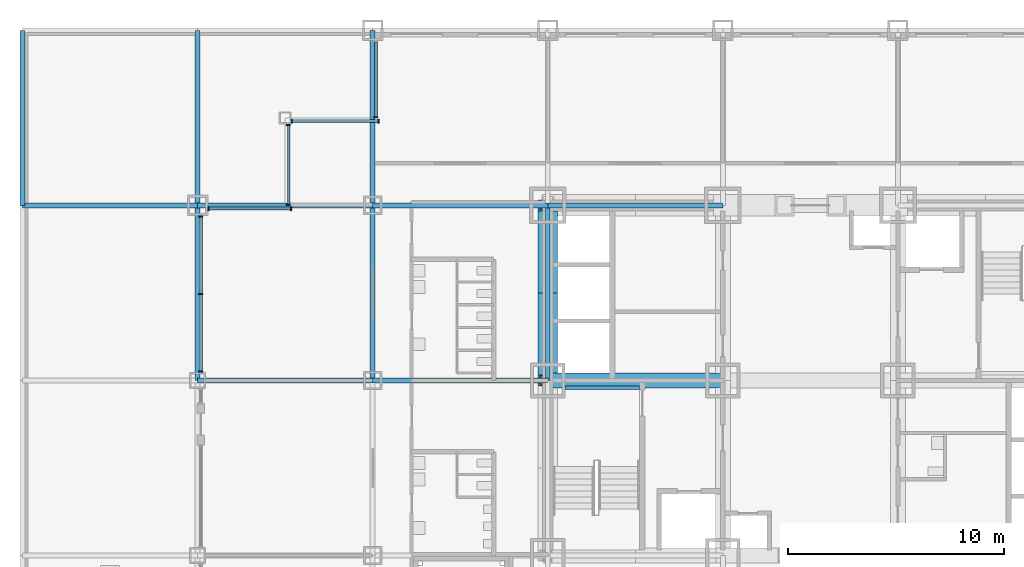
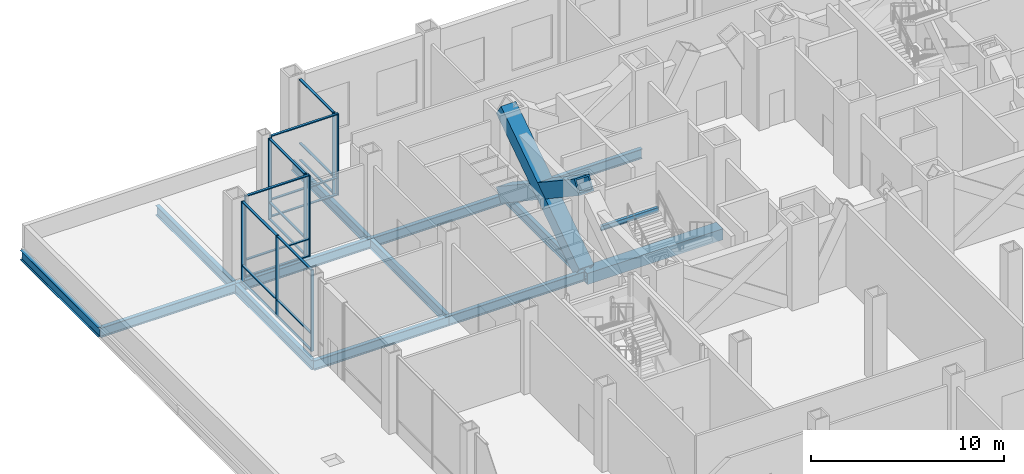
# One storey, part 12 of 26: 30 members, 14 beams, 5 elements without a shape of their own.
"""IFC4 building model written with IfcOpenShell, lengths in metres."""

from ifc_helpers import new_model, si_unit, direction, frame, origin, origin_2d, place, context, subcontext, project, spatial, rectangle, hollow_rectangle, i_section, extrude, material, material_profile, profile_set, type_object, element, aggregate, save


model = new_model("IFC4")

# Units and contexts
model_context = context("Model", 3, precision=1e-05, world=origin(), true_north=direction((0.0, 1.0)))
body_context = subcontext(model_context, "Body", "Model", "MODEL_VIEW")
ifc_project = project(units=[si_unit("LENGTHUNIT", "METRE"), si_unit("AREAUNIT", "SQUARE_METRE"), si_unit("VOLUMEUNIT", "CUBIC_METRE"), si_unit("PLANEANGLEUNIT", "RADIAN"), si_unit("MASSUNIT", "GRAM", prefix="KILO")], contexts=[model_context])

# Site, building, storey
site_placement = place(None, origin())
site = spatial("IfcSite", under=ifc_project, at=site_placement, CompositionType="ELEMENT")
building_placement = place(site_placement, origin())
building = spatial("IfcBuilding", under=site, at=building_placement, Name="Kopane Lantern Tower", CompositionType="ELEMENT")
storey_placement = place(building_placement, frame((0.0, 0.0, 16.800048828125)))
storey = spatial("IfcBuildingStorey", under=building, at=storey_placement, Name="L03", CompositionType="ELEMENT", Elevation=16.800048828125)

# Members
ifc_material_1 = material(Name="Steel S355JR", Category="steel")
ifc_material_profile_1 = material_profile(ifc_material_1, hollow_rectangle(XDim=0.89990234375, YDim=0.89990234375, WallThickness=0.090087890625, at=origin_2d()), Name="BOX 900x900x90")
ifc_profile_set_1 = profile_set([ifc_material_profile_1], Name="Steel S355JR")
member_type_1 = type_object("IfcMemberType", Name="BRACE BOX 900x900x90", PredefinedType="BRACE", material=ifc_profile_set_1)
for number, where, z_axis, x_axis, name in (
    (1, (16.199951171875, 32.39990234375, -0.25), (0.0, 0.832058010752, 0.55468862143), (-1.0, 0.0, 0.0), "Core brace L03"),
    (2, (16.199951171875, 40.5, -0.25), (0.0, -0.832058010752, 0.55468862143), (1.0, 0.0, 0.0), "Core brace L03"),
):
    element("IfcMember", number, at=place(storey_placement, frame(where, z_axis=z_axis, x_axis=x_axis)), inside=storey, type_object=member_type_1, Name=name, PredefinedType="BRACE", context=body_context, shape_type="SweptSolid", body=[
        extrude(hollow_rectangle(XDim=0.89990234375, YDim=0.89990234375, WallThickness=0.090087890625, at=origin_2d()), origin(), (0.0, 0.0, 1.0), 9.735107421875),
    ])

# Beams
ifc_material_2 = material(Name="Steel S355JR", Category="steel")
ifc_material_profile_2 = material_profile(ifc_material_2, hollow_rectangle(XDim=0.699951171875, YDim=0.699951171875, WallThickness=0.06005859375, at=origin_2d()), Name="BOX 700x700x60")
ifc_profile_set_2 = profile_set([ifc_material_profile_2], Name="Steel S355JR")
beam_type_1 = type_object("IfcBeamType", Name="CORE BEAM BOX 700x700x60", PredefinedType="BEAM", material=ifc_profile_set_2)
beam_1_placement = place(storey_placement, frame((16.199951171875, 32.39990234375, -0.60009765625), z_axis=(1.0, 0.0, 0.0), x_axis=(0.0, 1.0, 0.0)))
element("IfcBeam", 3, at=beam_1_placement, inside=storey, type_object=beam_type_1, Name="Core Beam L03", PredefinedType="BEAM", context=body_context, shape_type="SweptSolid", body=[
    extrude(hollow_rectangle(XDim=0.699951171875, YDim=0.699951171875, WallThickness=0.06005859375, at=origin_2d()), origin(), (0.0, 0.0, 1.0), 8.10009765625),
])
ifc_material_3 = material(Name="Steel S355JR", Category="steel")
ifc_material_profile_3 = material_profile(ifc_material_3, i_section(OverallWidth=0.22900390625, OverallDepth=0.6123046875, WebThickness=0.011962890625, FlangeThickness=0.01953125, FilletRadius=0.0126953125, at=origin_2d()), Name="UB 610x229x125")
ifc_profile_set_3 = profile_set([ifc_material_profile_3], Name="Steel S355JR")
beam_type_2 = type_object("IfcBeamType", Name="GIRDER UB 610x229x125", PredefinedType="BEAM", material=ifc_profile_set_3)
for number, where, z_axis, x_axis, name in (
    (4, (-8.10009765625, 40.5, -0.55615234375), (0.0, 1.0, 0.0), (-1.0, 0.0, 0.0), "Girder L03"),
    (5, (-8.10009765625, 40.5, -0.55615234375), (1.0, 0.0, 0.0), (0.0, 1.0, 0.0), "Girder L03"),
    (6, (0.0, 32.39990234375, -0.55615234375), (0.0, 1.0, 0.0), (-1.0, 0.0, 0.0), "Girder L03"),
    (7, (0.0, 32.39990234375, -0.55615234375), (1.0, 0.0, 0.0), (0.0, 1.0, 0.0), "Girder L03"),
    (8, (0.0, 40.5, -0.55615234375), (0.0, 1.0, 0.0), (-1.0, 0.0, 0.0), "Girder L03"),
    (9, (0.0, 40.5, -0.55615234375), (1.0, 0.0, 0.0), (0.0, 1.0, 0.0), "Girder L03"),
    (10, (8.10009765625, 32.39990234375, -0.55615234375), (0.0, 1.0, 0.0), (-1.0, 0.0, 0.0), "Girder L03"),
):
    element("IfcBeam", number, at=place(storey_placement, frame(where, z_axis=z_axis, x_axis=x_axis)), inside=storey, type_object=beam_type_2, Name=name, PredefinedType="BEAM", context=body_context, shape_type="SweptSolid", body=[
        extrude(i_section(OverallWidth=0.22900390625, OverallDepth=0.6123046875, WebThickness=0.011962890625, FlangeThickness=0.01953125, FilletRadius=0.0126953125, at=origin_2d()), origin(), (0.0, 0.0, 1.0), 8.10009765625),
    ])
beam_2_placement = place(storey_placement, frame((8.10009765625, 32.39990234375, -0.55615234375), z_axis=(1.0, 0.0, 0.0), x_axis=(0.0, 1.0, 0.0)))
element("IfcBeam", 11, at=beam_2_placement, inside=storey, type_object=beam_type_2, Name="Girder L03", PredefinedType="BEAM", context=body_context, shape_type="SweptSolid", body=[
    extrude(i_section(OverallWidth=0.22900390625, OverallDepth=0.6123046875, WebThickness=0.011962890625, FlangeThickness=0.01953125, FilletRadius=0.0126953125, at=origin_2d()), origin(), (0.0, 0.0, 1.0), 8.099853515625),
])
beam_3_placement = place(storey_placement, frame((8.10009765625, 40.5, -0.55615234375), z_axis=(0.0, 1.0, 0.0), x_axis=(-1.0, 0.0, 0.0)))
element("IfcBeam", 12, at=beam_3_placement, inside=storey, type_object=beam_type_2, Name="Girder L03", PredefinedType="BEAM", context=body_context, shape_type="SweptSolid", body=[
    extrude(i_section(OverallWidth=0.22900390625, OverallDepth=0.6123046875, WebThickness=0.011962890625, FlangeThickness=0.01953125, FilletRadius=0.0126953125, at=origin_2d()), origin(), (0.0, 0.0, 1.0), 8.10009765625),
])
beam_4_placement = place(storey_placement, frame((8.10009765625, 40.5, -0.55615234375), z_axis=(1.0, 0.0, 0.0), x_axis=(0.0, 1.0, 0.0)))
element("IfcBeam", 13, at=beam_4_placement, inside=storey, type_object=beam_type_2, Name="Girder L03", PredefinedType="BEAM", context=body_context, shape_type="SweptSolid", body=[
    extrude(i_section(OverallWidth=0.22900390625, OverallDepth=0.6123046875, WebThickness=0.011962890625, FlangeThickness=0.01953125, FilletRadius=0.0126953125, at=origin_2d()), origin(), (0.0, 0.0, 1.0), 8.099853515625),
])
for number, where, z_axis, x_axis, name in (
    (14, (16.199951171875, 32.39990234375, -0.55615234375), (0.0, 1.0, 0.0), (-1.0, 0.0, 0.0), "Girder L03"),
    (15, (16.199951171875, 40.5, -0.55615234375), (1.0, 0.0, 0.0), (0.0, 1.0, 0.0), "Girder L03"),
):
    element("IfcBeam", number, at=place(storey_placement, frame(where, z_axis=z_axis, x_axis=x_axis)), inside=storey, type_object=beam_type_2, Name=name, PredefinedType="BEAM", context=body_context, shape_type="SweptSolid", body=[
        extrude(i_section(OverallWidth=0.22900390625, OverallDepth=0.6123046875, WebThickness=0.011962890625, FlangeThickness=0.01953125, FilletRadius=0.0126953125, at=origin_2d()), origin(), (0.0, 0.0, 1.0), 8.10009765625),
    ])

# Curtain wall, member
ifc_material_4 = material(Name="Aluminium and clear glass", Category="aluminium")
curtain_wall_type = type_object("IfcCurtainWallType", Name="CURTAIN WALL CW2 PODIUM UPPER", PredefinedType="USERDEFINED", material=ifc_material_4)
curtain_wall_1_placement = place(storey_placement, origin())
curtain_wall_1 = element("IfcCurtainWall", 16, at=curtain_wall_1_placement, inside=storey, type_object=curtain_wall_type, Name="Curtain wall CW2 W L03", ObjectType="CURTAIN WALL", PredefinedType="USERDEFINED")
ifc_material_5 = material(Name="Aluminium", Category="aluminium")
ifc_material_profile_4 = material_profile(ifc_material_5, rectangle(XDim=0.06005859375, YDim=0.179931640625, at=origin_2d()), Name="AL 60x180")
ifc_profile_set_4 = profile_set([ifc_material_profile_4], Name="Aluminium")
member_type_2 = type_object("IfcMemberType", Name="MULLION CW2-M 60x180", PredefinedType="MULLION", material=ifc_profile_set_4)
member_1_placement = place(storey_placement, frame((8.25, 44.580078125, 0.0), z_axis=(0.0, 0.0, 1.0), x_axis=(0.0, -1.0, 0.0)))
member_1 = element("IfcMember", 17, at=member_1_placement, type_object=member_type_2, Name="CW2 mullion 2", PredefinedType="MULLION", context=body_context, shape_type="SweptSolid", body=[
    extrude(rectangle(XDim=0.06005859375, YDim=0.179931640625, at=origin_2d()), origin(), (0.0, 0.0, 1.0), 5.14990234375),
])

# Curtain wall, members
curtain_wall_2_placement = place(storey_placement, origin())
curtain_wall_2 = element("IfcCurtainWall", 18, at=curtain_wall_2_placement, inside=storey, type_object=curtain_wall_type, Name="Curtain wall CW2 N L03", ObjectType="CURTAIN WALL", PredefinedType="USERDEFINED")
member_2_placement = place(storey_placement, frame((8.3701171875, 44.39990234375, 0.0), z_axis=(0.0, 0.0, 1.0), x_axis=(-1.0, 0.0, 0.0)))
member_2 = element("IfcMember", 19, at=member_2_placement, type_object=member_type_2, Name="CW2 mullion 1", PredefinedType="MULLION", context=body_context, shape_type="SweptSolid", body=[
    extrude(rectangle(XDim=0.06005859375, YDim=0.179931640625, at=origin_2d()), origin(), (0.0, 0.0, 1.0), 5.14990234375),
])
member_3_placement = place(storey_placement, frame((4.360107421875, 44.39990234375, 0.0), z_axis=(0.0, 0.0, 1.0), x_axis=(-1.0, 0.0, 0.0)))
member_3 = element("IfcMember", 20, at=member_3_placement, type_object=member_type_2, Name="CW2 mullion 2", PredefinedType="MULLION", context=body_context, shape_type="SweptSolid", body=[
    extrude(rectangle(XDim=0.06005859375, YDim=0.179931640625, at=origin_2d()), origin(), (0.0, 0.0, 1.0), 5.14990234375),
])

curtain_wall_3_placement = place(storey_placement, origin())
curtain_wall_3 = element("IfcCurtainWall", 21, at=curtain_wall_3_placement, inside=storey, type_object=curtain_wall_type, Name="Curtain wall CW2 W L03", ObjectType="CURTAIN WALL", PredefinedType="USERDEFINED")
member_4_placement = place(storey_placement, frame((4.199951171875, 44.219970703125, 0.0), z_axis=(0.0, 0.0, 1.0), x_axis=(0.0, -1.0, 0.0)))
member_4 = element("IfcMember", 22, at=member_4_placement, type_object=member_type_2, Name="CW2 mullion 1", PredefinedType="MULLION", context=body_context, shape_type="SweptSolid", body=[
    extrude(rectangle(XDim=0.06005859375, YDim=0.179931640625, at=origin_2d()), origin(), (0.0, 0.0, 1.0), 5.14990234375),
])
member_5_placement = place(storey_placement, frame((4.199951171875, 40.530029296875, 0.0), z_axis=(0.0, 0.0, 1.0), x_axis=(0.0, -1.0, 0.0)))
member_5 = element("IfcMember", 23, at=member_5_placement, type_object=member_type_2, Name="CW2 mullion 2", PredefinedType="MULLION", context=body_context, shape_type="SweptSolid", body=[
    extrude(rectangle(XDim=0.06005859375, YDim=0.179931640625, at=origin_2d()), origin(), (0.0, 0.0, 1.0), 5.14990234375),
])

curtain_wall_4_placement = place(storey_placement, origin())
curtain_wall_4 = element("IfcCurtainWall", 24, at=curtain_wall_4_placement, inside=storey, type_object=curtain_wall_type, Name="Curtain wall CW2 N L03", ObjectType="CURTAIN WALL", PredefinedType="USERDEFINED")
member_6_placement = place(storey_placement, frame((4.320068359375, 40.35009765625, 0.0), z_axis=(0.0, 0.0, 1.0), x_axis=(-1.0, 0.0, 0.0)))
member_6 = element("IfcMember", 25, at=member_6_placement, type_object=member_type_2, Name="CW2 mullion 1", PredefinedType="MULLION", context=body_context, shape_type="SweptSolid", body=[
    extrude(rectangle(XDim=0.06005859375, YDim=0.179931640625, at=origin_2d()), origin(), (0.0, 0.0, 1.0), 5.14990234375),
])
member_7_placement = place(storey_placement, frame((0.510009765625, 40.35009765625, 0.0), z_axis=(0.0, 0.0, 1.0), x_axis=(-1.0, 0.0, 0.0)))
member_7 = element("IfcMember", 26, at=member_7_placement, type_object=member_type_2, Name="CW2 mullion 2", PredefinedType="MULLION", context=body_context, shape_type="SweptSolid", body=[
    extrude(rectangle(XDim=0.06005859375, YDim=0.179931640625, at=origin_2d()), origin(), (0.0, 0.0, 1.0), 5.14990234375),
])

curtain_wall_5_placement = place(storey_placement, origin())
curtain_wall_5 = element("IfcCurtainWall", 27, at=curtain_wall_5_placement, inside=storey, type_object=curtain_wall_type, Name="Curtain wall CW2 W L03", ObjectType="CURTAIN WALL", PredefinedType="USERDEFINED")
member_8_placement = place(storey_placement, frame((0.14990234375, 39.989990234375, 0.0), z_axis=(0.0, 0.0, 1.0), x_axis=(0.0, -1.0, 0.0)))
member_8 = element("IfcMember", 28, at=member_8_placement, type_object=member_type_2, Name="CW2 mullion 1", PredefinedType="MULLION", context=body_context, shape_type="SweptSolid", body=[
    extrude(rectangle(XDim=0.06005859375, YDim=0.179931640625, at=origin_2d()), origin(), (0.0, 0.0, 1.0), 5.14990234375),
])
member_9_placement = place(storey_placement, frame((0.14990234375, 36.39990234375, 0.0), z_axis=(0.0, 0.0, 1.0), x_axis=(0.0, -1.0, 0.0)))
member_9 = element("IfcMember", 29, at=member_9_placement, type_object=member_type_2, Name="CW2 mullion 2", PredefinedType="MULLION", context=body_context, shape_type="SweptSolid", body=[
    extrude(rectangle(XDim=0.06005859375, YDim=0.179931640625, at=origin_2d()), origin(), (0.0, 0.0, 1.0), 5.14990234375),
])
member_10_placement = place(storey_placement, frame((0.14990234375, 32.81005859375, 0.0), z_axis=(0.0, 0.0, 1.0), x_axis=(0.0, -1.0, 0.0)))
member_10 = element("IfcMember", 30, at=member_10_placement, type_object=member_type_2, Name="CW2 mullion 3", PredefinedType="MULLION", context=body_context, shape_type="SweptSolid", body=[
    extrude(rectangle(XDim=0.06005859375, YDim=0.179931640625, at=origin_2d()), origin(), (0.0, 0.0, 1.0), 5.14990234375),
])

# Beam
ifc_material_6 = material(Name="Steel S355JR", Category="steel")
ifc_material_profile_5 = material_profile(ifc_material_6, i_section(OverallWidth=0.1650390625, OverallDepth=0.303466796875, WebThickness=0.006103515625, FlangeThickness=0.01025390625, FilletRadius=0.0087890625, at=origin_2d()), Name="UB 305x165x40")
ifc_profile_set_5 = profile_set([ifc_material_profile_5], Name="Steel S355JR")
beam_type_3 = type_object("IfcBeamType", Name="STAIR LANDING BEAM UB 305x165x40", PredefinedType="BEAM", material=ifc_profile_set_5)
beam_5_placement = place(storey_placement, frame((17.0, 32.0673828125, 2.34814453125), z_axis=(1.0, 0.0, 0.0), x_axis=(0.0, 1.0, 0.0)))
element("IfcBeam", 31, at=beam_5_placement, inside=storey, type_object=beam_type_3, Name="Stair landing beam ST1 L03", PredefinedType="BEAM", context=body_context, shape_type="SweptSolid", body=[
    extrude(i_section(OverallWidth=0.1650390625, OverallDepth=0.303466796875, WebThickness=0.006103515625, FlangeThickness=0.01025390625, FilletRadius=0.0087890625, at=origin_2d()), origin(), (0.0, 0.0, 1.0), 3.449951171875),
])

# Member
ifc_material_7 = material(Name="Aluminium", Category="aluminium")
ifc_material_profile_6 = material_profile(ifc_material_7, rectangle(XDim=0.139892578125, YDim=0.06005859375, at=origin_2d()), Name="AL 140x60")
ifc_profile_set_6 = profile_set([ifc_material_profile_6], Name="Aluminium")
member_type_3 = type_object("IfcMemberType", Name="TRANSOM CW2-T 60x140", PredefinedType="USERDEFINED", material=ifc_profile_set_6)
member_11_placement = place(storey_placement, frame((8.25, 48.06005859375, 0.030029296875), z_axis=(0.0, -1.0, 0.0), x_axis=(1.0, 0.0, 0.0)))
member_11 = element("IfcMember", 32, at=member_11_placement, type_object=member_type_3, Name="CW2 transom 1.1", ObjectType="TRANSOM", PredefinedType="USERDEFINED", context=body_context, shape_type="SweptSolid", body=[
    extrude(rectangle(XDim=0.139892578125, YDim=0.06005859375, at=origin_2d()), origin(), (0.0, 0.0, 1.0), 3.449951171875),
])

member_12_placement = place(storey_placement, frame((8.25, 48.06005859375, 1.099853515625), z_axis=(0.0, -1.0, 0.0), x_axis=(1.0, 0.0, 0.0)))
member_12 = element("IfcMember", 33, at=member_12_placement, type_object=member_type_3, Name="CW2 transom 1.2", ObjectType="TRANSOM", PredefinedType="USERDEFINED", context=body_context, shape_type="SweptSolid", body=[
    extrude(rectangle(XDim=0.139892578125, YDim=0.06005859375, at=origin_2d()), origin(), (0.0, 0.0, 1.0), 3.449951171875),
])

member_13_placement = place(storey_placement, frame((8.25, 48.06005859375, 5.119873046875), z_axis=(0.0, -1.0, 0.0), x_axis=(1.0, 0.0, 0.0)))
member_13 = element("IfcMember", 34, at=member_13_placement, type_object=member_type_3, Name="CW2 transom 1.3", ObjectType="TRANSOM", PredefinedType="USERDEFINED", context=body_context, shape_type="SweptSolid", body=[
    extrude(rectangle(XDim=0.139892578125, YDim=0.06005859375, at=origin_2d()), origin(), (0.0, 0.0, 1.0), 3.449951171875),
])

aggregate(curtain_wall_1, [member_1, member_11, member_12, member_13])

member_14_placement = place(storey_placement, frame((8.340087890625, 44.39990234375, 0.030029296875), z_axis=(-1.0, 0.0, 0.0), x_axis=(0.0, -1.0, 0.0)))
member_14 = element("IfcMember", 35, at=member_14_placement, type_object=member_type_3, Name="CW2 transom 1.1", ObjectType="TRANSOM", PredefinedType="USERDEFINED", context=body_context, shape_type="SweptSolid", body=[
    extrude(rectangle(XDim=0.139892578125, YDim=0.06005859375, at=origin_2d()), origin(), (0.0, 0.0, 1.0), 3.9501953125),
])

member_15_placement = place(storey_placement, frame((8.340087890625, 44.39990234375, 1.099853515625), z_axis=(-1.0, 0.0, 0.0), x_axis=(0.0, -1.0, 0.0)))
member_15 = element("IfcMember", 36, at=member_15_placement, type_object=member_type_3, Name="CW2 transom 1.2", ObjectType="TRANSOM", PredefinedType="USERDEFINED", context=body_context, shape_type="SweptSolid", body=[
    extrude(rectangle(XDim=0.139892578125, YDim=0.06005859375, at=origin_2d()), origin(), (0.0, 0.0, 1.0), 3.9501953125),
])

member_16_placement = place(storey_placement, frame((8.340087890625, 44.39990234375, 5.119873046875), z_axis=(-1.0, 0.0, 0.0), x_axis=(0.0, -1.0, 0.0)))
member_16 = element("IfcMember", 37, at=member_16_placement, type_object=member_type_3, Name="CW2 transom 1.3", ObjectType="TRANSOM", PredefinedType="USERDEFINED", context=body_context, shape_type="SweptSolid", body=[
    extrude(rectangle(XDim=0.139892578125, YDim=0.06005859375, at=origin_2d()), origin(), (0.0, 0.0, 1.0), 3.9501953125),
])

aggregate(curtain_wall_2, [member_2, member_3, member_14, member_15, member_16])

member_17_placement = place(storey_placement, frame((4.199951171875, 44.18994140625, 0.030029296875), z_axis=(0.0, -1.0, 0.0), x_axis=(1.0, 0.0, 0.0)))
member_17 = element("IfcMember", 38, at=member_17_placement, type_object=member_type_3, Name="CW2 transom 1.1", ObjectType="TRANSOM", PredefinedType="USERDEFINED", context=body_context, shape_type="SweptSolid", body=[
    extrude(rectangle(XDim=0.139892578125, YDim=0.06005859375, at=origin_2d()), origin(), (0.0, 0.0, 1.0), 3.6298828125),
])

member_18_placement = place(storey_placement, frame((4.199951171875, 44.18994140625, 1.099853515625), z_axis=(0.0, -1.0, 0.0), x_axis=(1.0, 0.0, 0.0)))
member_18 = element("IfcMember", 39, at=member_18_placement, type_object=member_type_3, Name="CW2 transom 1.2", ObjectType="TRANSOM", PredefinedType="USERDEFINED", context=body_context, shape_type="SweptSolid", body=[
    extrude(rectangle(XDim=0.139892578125, YDim=0.06005859375, at=origin_2d()), origin(), (0.0, 0.0, 1.0), 3.6298828125),
])

member_19_placement = place(storey_placement, frame((4.199951171875, 44.18994140625, 5.119873046875), z_axis=(0.0, -1.0, 0.0), x_axis=(1.0, 0.0, 0.0)))
member_19 = element("IfcMember", 40, at=member_19_placement, type_object=member_type_3, Name="CW2 transom 1.3", ObjectType="TRANSOM", PredefinedType="USERDEFINED", context=body_context, shape_type="SweptSolid", body=[
    extrude(rectangle(XDim=0.139892578125, YDim=0.06005859375, at=origin_2d()), origin(), (0.0, 0.0, 1.0), 3.6298828125),
])

aggregate(curtain_wall_3, [member_4, member_5, member_17, member_18, member_19])

member_20_placement = place(storey_placement, frame((4.2900390625, 40.35009765625, 0.030029296875), z_axis=(-1.0, 0.0, 0.0), x_axis=(0.0, -1.0, 0.0)))
member_20 = element("IfcMember", 41, at=member_20_placement, type_object=member_type_3, Name="CW2 transom 1.1", ObjectType="TRANSOM", PredefinedType="USERDEFINED", context=body_context, shape_type="SweptSolid", body=[
    extrude(rectangle(XDim=0.139892578125, YDim=0.06005859375, at=origin_2d()), origin(), (0.0, 0.0, 1.0), 3.75),
])

member_21_placement = place(storey_placement, frame((4.2900390625, 40.35009765625, 1.099853515625), z_axis=(-1.0, 0.0, 0.0), x_axis=(0.0, -1.0, 0.0)))
member_21 = element("IfcMember", 42, at=member_21_placement, type_object=member_type_3, Name="CW2 transom 1.2", ObjectType="TRANSOM", PredefinedType="USERDEFINED", context=body_context, shape_type="SweptSolid", body=[
    extrude(rectangle(XDim=0.139892578125, YDim=0.06005859375, at=origin_2d()), origin(), (0.0, 0.0, 1.0), 3.75),
])

member_22_placement = place(storey_placement, frame((4.2900390625, 40.35009765625, 5.119873046875), z_axis=(-1.0, 0.0, 0.0), x_axis=(0.0, -1.0, 0.0)))
member_22 = element("IfcMember", 43, at=member_22_placement, type_object=member_type_3, Name="CW2 transom 1.3", ObjectType="TRANSOM", PredefinedType="USERDEFINED", context=body_context, shape_type="SweptSolid", body=[
    extrude(rectangle(XDim=0.139892578125, YDim=0.06005859375, at=origin_2d()), origin(), (0.0, 0.0, 1.0), 3.75),
])

aggregate(curtain_wall_4, [member_6, member_7, member_20, member_21, member_22])

member_23_placement = place(storey_placement, frame((0.14990234375, 39.9599609375, 0.030029296875), z_axis=(0.0, -1.0, 0.0), x_axis=(1.0, 0.0, 0.0)))
member_23 = element("IfcMember", 44, at=member_23_placement, type_object=member_type_3, Name="CW2 transom 1.1", ObjectType="TRANSOM", PredefinedType="USERDEFINED", context=body_context, shape_type="SweptSolid", body=[
    extrude(rectangle(XDim=0.139892578125, YDim=0.06005859375, at=origin_2d()), origin(), (0.0, 0.0, 1.0), 3.530029296875),
])

member_24_placement = place(storey_placement, frame((0.14990234375, 39.9599609375, 1.099853515625), z_axis=(0.0, -1.0, 0.0), x_axis=(1.0, 0.0, 0.0)))
member_24 = element("IfcMember", 45, at=member_24_placement, type_object=member_type_3, Name="CW2 transom 1.2", ObjectType="TRANSOM", PredefinedType="USERDEFINED", context=body_context, shape_type="SweptSolid", body=[
    extrude(rectangle(XDim=0.139892578125, YDim=0.06005859375, at=origin_2d()), origin(), (0.0, 0.0, 1.0), 3.530029296875),
])

member_25_placement = place(storey_placement, frame((0.14990234375, 39.9599609375, 5.119873046875), z_axis=(0.0, -1.0, 0.0), x_axis=(1.0, 0.0, 0.0)))
member_25 = element("IfcMember", 46, at=member_25_placement, type_object=member_type_3, Name="CW2 transom 1.3", ObjectType="TRANSOM", PredefinedType="USERDEFINED", context=body_context, shape_type="SweptSolid", body=[
    extrude(rectangle(XDim=0.139892578125, YDim=0.06005859375, at=origin_2d()), origin(), (0.0, 0.0, 1.0), 3.530029296875),
])

member_26_placement = place(storey_placement, frame((0.14990234375, 36.3701171875, 0.030029296875), z_axis=(0.0, -1.0, 0.0), x_axis=(1.0, 0.0, 0.0)))
member_26 = element("IfcMember", 47, at=member_26_placement, type_object=member_type_3, Name="CW2 transom 2.1", ObjectType="TRANSOM", PredefinedType="USERDEFINED", context=body_context, shape_type="SweptSolid", body=[
    extrude(rectangle(XDim=0.139892578125, YDim=0.06005859375, at=origin_2d()), origin(), (0.0, 0.0, 1.0), 3.530029296875),
])

member_27_placement = place(storey_placement, frame((0.14990234375, 36.3701171875, 1.099853515625), z_axis=(0.0, -1.0, 0.0), x_axis=(1.0, 0.0, 0.0)))
member_27 = element("IfcMember", 48, at=member_27_placement, type_object=member_type_3, Name="CW2 transom 2.2", ObjectType="TRANSOM", PredefinedType="USERDEFINED", context=body_context, shape_type="SweptSolid", body=[
    extrude(rectangle(XDim=0.139892578125, YDim=0.06005859375, at=origin_2d()), origin(), (0.0, 0.0, 1.0), 3.530029296875),
])

member_28_placement = place(storey_placement, frame((0.14990234375, 36.3701171875, 5.119873046875), z_axis=(0.0, -1.0, 0.0), x_axis=(1.0, 0.0, 0.0)))
member_28 = element("IfcMember", 49, at=member_28_placement, type_object=member_type_3, Name="CW2 transom 2.3", ObjectType="TRANSOM", PredefinedType="USERDEFINED", context=body_context, shape_type="SweptSolid", body=[
    extrude(rectangle(XDim=0.139892578125, YDim=0.06005859375, at=origin_2d()), origin(), (0.0, 0.0, 1.0), 3.530029296875),
])

aggregate(curtain_wall_5, [member_8, member_9, member_10, member_23, member_24, member_25, member_26, member_27, member_28])

save(model, "model.ifc")
